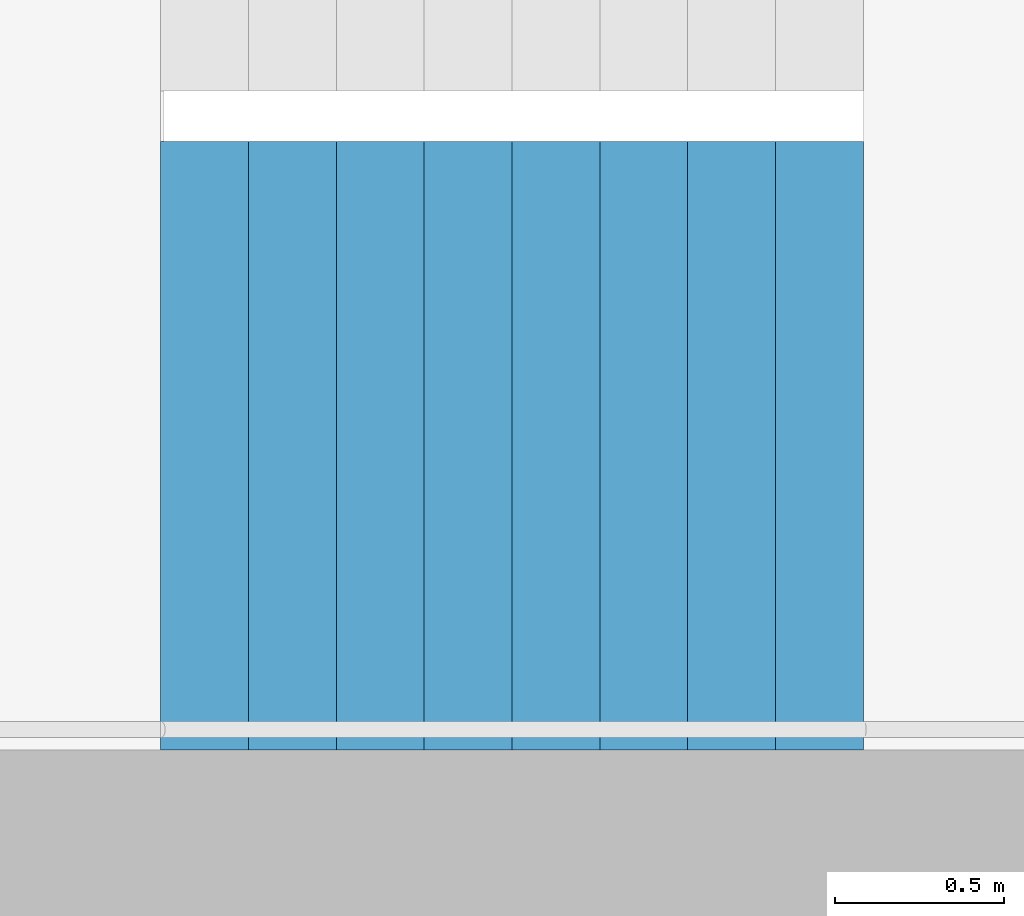
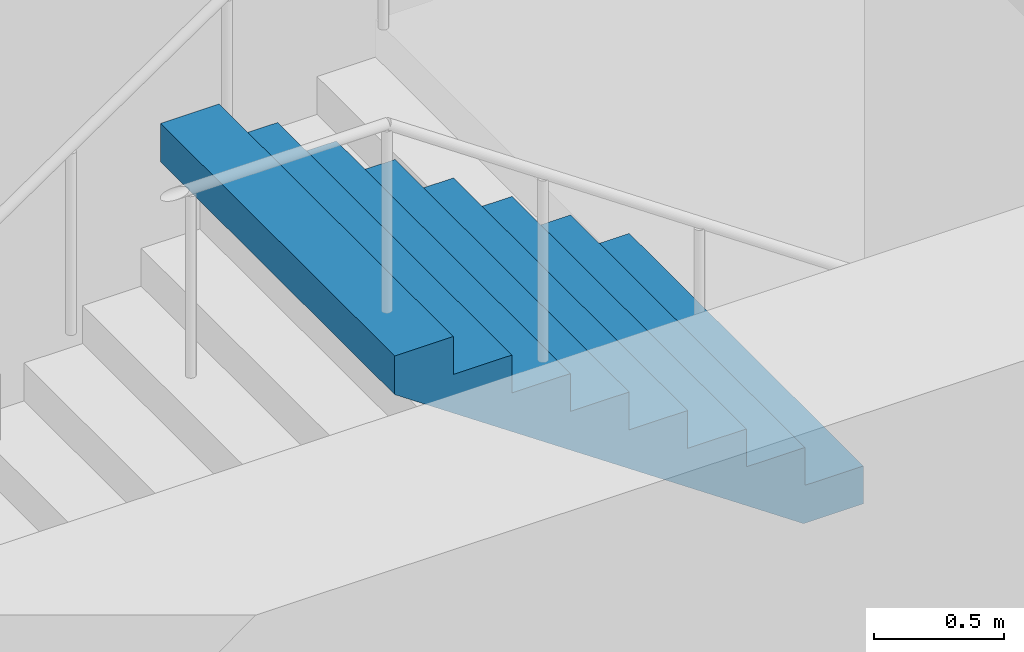
# One storey, part 24 of 41: 1 stair flight, 1 element without a shape of its own.
"""IFC4 building model written with IfcOpenShell, lengths in metres."""

import ifcopenshell
import ifcopenshell.guid

model = None  # the IFC model being written
_history = None  # IfcOwnerHistory: only IFC2X3 demands one
_inside = {}  # id of a spatial element -> (the spatial element, [elements in it])
_under = {}  # id of a project, library or spatial element -> (it, [spatial elements below it])
_declared = {}  # id of a project -> (the project, [libraries it declares])
_typed = {}  # id of a type object -> (the type object, [elements of that type])
_made_of = {}  # id of a material, layer set ... -> (it, [elements and type objects made of it])


def new_model(schema):
    """Start an empty IFC model of exactly this schema.

    Asked for "IFC4X3", IfcOpenShell would pick the latest addendum, in which some entities
    have other attributes; the version numbers below select the first issue.
    IFC2X3 requires an IfcOwnerHistory on every rooted entity: one is made here for all.
    """
    global model, _history
    if schema == "IFC4X3":
        model = ifcopenshell.file(schema_version=(4, 3, 0, 0))
    else:
        model = ifcopenshell.file(schema=schema)
    _inside.clear()
    _under.clear()
    _declared.clear()
    _typed.clear()
    _made_of.clear()
    _history = None
    if model.schema == "IFC2X3":
        org = make("IfcOrganization", Name="unknown")
        user = make(
            "IfcPersonAndOrganization",
            ThePerson=make("IfcPerson", FamilyName="unknown"),
            TheOrganization=org,
        )
        app = make(
            "IfcApplication",
            ApplicationDeveloper=org,
            Version="unknown",
            ApplicationFullName="unknown",
            ApplicationIdentifier="unknown",
        )
        _history = make(
            "IfcOwnerHistory",
            OwningUser=user,
            OwningApplication=app,
            ChangeAction="ADDED",
            CreationDate=0,
        )
    return model


def make(cls, **values):
    """One entity of the class cls with the attributes given. An attribute that is None is left unset."""
    return model.create_entity(
        cls, **{name: value for name, value in values.items() if value is not None}
    )


def rooted(cls, **values):
    """An entity with a GlobalId (a new one), such as an element, a storey or a relation."""
    return make(cls, GlobalId=ifcopenshell.guid.new(), OwnerHistory=_history, **values)


def si_unit(unit_type, name, prefix=None):
    """IfcSIUnit, for example si_unit("LENGTHUNIT", "METRE", prefix="MILLI")."""
    return make("IfcSIUnit", UnitType=unit_type, Prefix=prefix, Name=name)


def assignment(units):
    """IfcUnitAssignment: the units of a project."""
    return None if units is None else make("IfcUnitAssignment", Units=units)


def point(xyz):
    """IfcCartesianPoint."""
    return None if xyz is None else make("IfcCartesianPoint", Coordinates=xyz)


def direction(xyz):
    """IfcDirection."""
    return None if xyz is None else make("IfcDirection", DirectionRatios=xyz)


def frame(location, z_axis=None, x_axis=None):
    """IfcAxis2Placement3D, a coordinate frame: its origin and axes. An axis left out is left unset."""
    return make(
        "IfcAxis2Placement3D",
        Location=point(location),
        Axis=direction(z_axis),
        RefDirection=direction(x_axis),
    )


def origin():
    """The frame at (0, 0, 0) with its axes left unset."""
    return frame((0.0, 0.0, 0.0))


def place(relative_to, where):
    """IfcLocalPlacement: puts the frame where relative to a parent placement (None: the world)."""
    return make(
        "IfcLocalPlacement", PlacementRelTo=relative_to, RelativePlacement=where
    )


def context(
    kind, dimensions, precision=None, world=None, true_north=None, identifier=None
):
    """IfcGeometricRepresentationContext, for example the 3D "Model" context."""
    return make(
        "IfcGeometricRepresentationContext",
        ContextIdentifier=identifier,
        ContextType=kind,
        CoordinateSpaceDimension=dimensions,
        Precision=precision,
        WorldCoordinateSystem=world,
        TrueNorth=true_north,
    )


def subcontext(parent, identifier, kind, view, scale=None):
    """IfcGeometricRepresentationSubContext, for example "Body" below "Model"."""
    return make(
        "IfcGeometricRepresentationSubContext",
        ContextIdentifier=identifier,
        ContextType=kind,
        ParentContext=parent,
        TargetScale=scale,
        TargetView=view,
    )


def project(units=None, contexts=None):
    """IfcProject with its units and contexts."""
    return rooted(
        "IfcProject",
        Name="project",
        RepresentationContexts=contexts,
        UnitsInContext=assignment(units),
    )


def spatial(cls, under=None, at=None, **own):
    """A site, building, storey or space (cls), placed at a placement, below another one or the project."""
    s = rooted(cls, ObjectPlacement=at, **own)
    if under is not None:
        _under.setdefault(under.id(), (under, []))[1].append(s)
    return s


def point_list(points):
    """IfcCartesianPointList2D or 3D."""
    cls = (
        "IfcCartesianPointList2D" if len(points[0]) == 2 else "IfcCartesianPointList3D"
    )
    return make(cls, CoordList=points)


def triangles(points, corners, closed=None, point_numbers=None):
    """IfcTriangulatedFaceSet: each triangle names its three corners, points numbered from 1."""
    return make(
        "IfcTriangulatedFaceSet",
        Coordinates=point_list(points),
        Closed=closed,
        CoordIndex=corners,
        PnIndex=point_numbers,
    )


def shape(context_of_items, identifier, shape_type, items):
    """IfcShapeRepresentation: the items that make up one representation, for example the "Body"."""
    return make(
        "IfcShapeRepresentation",
        ContextOfItems=context_of_items,
        RepresentationIdentifier=identifier,
        RepresentationType=shape_type,
        Items=items,
    )


def material(Name=None, Category=None):
    """IfcMaterial."""
    return make("IfcMaterial", Name=Name, Category=Category)


def made_of(thing, what):
    """Note that an element or type object is made of a material, layer set ...; save() writes the relation."""
    if what is not None:
        _made_of.setdefault(what.id(), (what, []))[1].append(thing)
    return thing


def type_object(cls, material=None, **own):
    """A type object (cls), such as IfcWallType, which elements share."""
    return made_of(rooted(cls, **own), material)


def element(
    cls,
    number,
    at=None,
    inside=None,
    cuts=None,
    type_object=None,
    material=None,
    context=None,
    identifier="Body",
    shape_type=None,
    held_by="IfcProductDefinitionShape",
    body=None,
    shapes=None,
    **own,
):
    """One element of the class cls, such as IfcWall. Its Tag is "e" and its number.

    at: its placement. inside: the storey or other place that contains it. cuts: it is an
    opening in that element (IfcRelVoidsElement). A single representation is given by context,
    identifier, shape_type and body (its items); several are given by shapes. held_by: the class
    of the entity that holds the representations. save() writes the other relations.
    """
    e = rooted(cls, Tag="e%d" % number, ObjectPlacement=at, **own)
    if body is not None:
        shapes = [shape(context, identifier, shape_type, body)]
    if shapes is not None:
        e.Representation = make(held_by, Representations=shapes)
    if inside is not None:
        _inside.setdefault(inside.id(), (inside, []))[1].append(e)
    if cuts is not None:
        rooted(
            "IfcRelVoidsElement", RelatingBuildingElement=cuts, RelatedOpeningElement=e
        )
    if type_object is not None:
        _typed.setdefault(type_object.id(), (type_object, []))[1].append(e)
    return made_of(e, material)


def aggregate(whole, parts):
    """IfcRelAggregates: a whole, such as a stair, and the parts it consists of."""
    return rooted("IfcRelAggregates", RelatingObject=whole, RelatedObjects=parts)


def save(model, path):
    """Write the relations noted so far, then the file.

    IfcRelAggregates (storeys below a building ...), IfcRelContainedInSpatialStructure (elements
    in a storey), IfcRelDefinesByType, IfcRelAssociatesMaterial and IfcRelDeclares: one each for
    every whole, place, type object, material and project.
    """
    for whole, parts in _under.values():
        aggregate(whole, parts)
    for where, things in _inside.values():
        rooted(
            "IfcRelContainedInSpatialStructure",
            RelatedElements=things,
            RelatingStructure=where,
        )
    for kind, things in _typed.values():
        rooted("IfcRelDefinesByType", RelatedObjects=things, RelatingType=kind)
    for what, things in _made_of.values():
        rooted("IfcRelAssociatesMaterial", RelatedObjects=things, RelatingMaterial=what)
    for by, libraries in _declared.values():
        rooted("IfcRelDeclares", RelatingContext=by, RelatedDefinitions=libraries)
    model.write(path)


model = new_model("IFC4")

# Units and contexts
model_context = context("Model", 3, precision=1e-05, world=origin(), true_north=direction((0.0, 1.0)))
body_context = subcontext(model_context, "Body", "Model", "MODEL_VIEW")
ifc_project = project(units=[si_unit("LENGTHUNIT", "METRE"), si_unit("AREAUNIT", "SQUARE_METRE"), si_unit("VOLUMEUNIT", "CUBIC_METRE"), si_unit("PLANEANGLEUNIT", "RADIAN"), si_unit("MASSUNIT", "GRAM", prefix="KILO")], contexts=[model_context])

# Site, building, storey
site_placement = place(None, origin())
site = spatial("IfcSite", under=ifc_project, at=site_placement, CompositionType="ELEMENT")
building_placement = place(site_placement, origin())
building = spatial("IfcBuilding", under=site, at=building_placement, Name="Hakoniwa Tower and Hamabe Station Hall", CompositionType="ELEMENT")
storey_placement = place(building_placement, frame((0.0, 0.0, 180.199951171875)))
storey = spatial("IfcBuildingStorey", under=building, at=storey_placement, Name="L51", CompositionType="ELEMENT", Elevation=180.199951171875)

# Stair, stair flight
ifc_material_1 = material(Name="Concrete C40", Category="concrete")
stair_type = type_object("IfcStairType", Name="ESCAPE STAIR 1800", PredefinedType="HALF_TURN_STAIR", material=ifc_material_1)
stair_placement = place(storey_placement, origin())
stair = element("IfcStair", 1, at=stair_placement, inside=storey, type_object=stair_type, Name="Escape stair ST-4 L51", PredefinedType="HALF_TURN_STAIR")
ifc_material_2 = material(Name="Concrete C40", Category="concrete")
stair_flight_type = type_object("IfcStairFlightType", Name="STAIR FLIGHT 1800", PredefinedType="STRAIGHT", material=ifc_material_2)
stair_flight_placement = place(storey_placement, frame((25.47998046875, -6.60009765625, 4.800048828125), z_axis=(0.0, 0.0, 1.0), x_axis=(-1.0, 0.0, 0.0)))
stair_flight = element("IfcStairFlight", 2, at=stair_flight_placement, type_object=stair_flight_type, Name="ST-4 flight 4", NumberOfRisers=9, NumberOfTreads=8, PredefinedType="STRAIGHT", RiserHeight=0.177777778, TreadLength=0.26, context=body_context, shape_type="Tessellation", body=[
    triangles([(0.0, 0.89990234375, 0.0), (0.260009765625, 0.89990234375, 0.0), (0.265625, 0.89990234375, 0.0), (0.52001953125, 0.89990234375, 0.174072265625), (0.780029296875, 0.89990234375, 0.351806640625), (1.0400390625, 0.89990234375, 0.529541015625), (1.300048828125, 0.89990234375, 0.707275390625), (1.56005859375, 0.89990234375, 0.885009765625), (1.820068359375, 0.89990234375, 1.062744140625), (2.080078125, 0.89990234375, 1.24072265625), (2.080078125, 0.89990234375, 1.422119140625), (1.820068359375, 0.89990234375, 1.422119140625), (1.820068359375, 0.89990234375, 1.244384765625), (1.56005859375, 0.89990234375, 1.244384765625), (1.56005859375, 0.89990234375, 1.066650390625), (1.300048828125, 0.89990234375, 1.066650390625), (1.300048828125, 0.89990234375, 0.888916015625), (1.0400390625, 0.89990234375, 0.888916015625), (1.0400390625, 0.89990234375, 0.711181640625), (0.780029296875, 0.89990234375, 0.711181640625), (0.780029296875, 0.89990234375, 0.533447265625), (0.52001953125, 0.89990234375, 0.533447265625), (0.52001953125, 0.89990234375, 0.35546875), (0.265625, 0.89990234375, 0.35546875), (0.260009765625, 0.89990234375, 0.35546875), (0.260009765625, 0.89990234375, 0.177734375), (0.0, 0.89990234375, 0.177734375), (0.0, 0.06005859375, 0.0), (0.260009765625, 0.06005859375, 0.0), (0.265625, 0.06005859375, 0.0), (0.52001953125, 0.06005859375, 0.174072265625), (0.780029296875, 0.06005859375, 0.351806640625), (1.0400390625, 0.06005859375, 0.529541015625), (1.300048828125, 0.06005859375, 0.707275390625), (1.56005859375, 0.06005859375, 0.885009765625), (1.820068359375, 0.06005859375, 1.062744140625), (2.080078125, 0.06005859375, 1.24072265625), (2.080078125, 0.06005859375, 1.422119140625), (1.820068359375, 0.06005859375, 1.422119140625), (1.820068359375, 0.06005859375, 1.244384765625), (1.56005859375, 0.06005859375, 1.244384765625), (1.56005859375, 0.06005859375, 1.066650390625), (1.300048828125, 0.06005859375, 1.066650390625), (1.300048828125, 0.06005859375, 0.888916015625), (1.0400390625, 0.06005859375, 0.888916015625), (1.0400390625, 0.06005859375, 0.711181640625), (0.780029296875, 0.06005859375, 0.711181640625), (0.780029296875, 0.06005859375, 0.533447265625), (0.52001953125, 0.06005859375, 0.533447265625), (0.52001953125, 0.06005859375, 0.35546875), (0.265625, 0.06005859375, 0.35546875), (0.260009765625, 0.06005859375, 0.35546875), (0.260009765625, 0.06005859375, 0.177734375), (0.0, 0.06005859375, 0.177734375), (0.0, 0.04296875, 0.0), (0.260009765625, 0.04296875, 0.0), (0.265625, 0.04296875, 0.0), (0.52001953125, 0.04296875, 0.174072265625), (0.780029296875, 0.04296875, 0.351806640625), (1.0400390625, 0.04296875, 0.529541015625), (1.300048828125, 0.04296875, 0.707275390625), (1.56005859375, 0.04296875, 0.885009765625), (1.820068359375, 0.04296875, 1.062744140625), (2.080078125, 0.04296875, 1.24072265625), (2.080078125, 0.04296875, 1.422119140625), (1.820068359375, 0.04296875, 1.422119140625), (1.820068359375, 0.04296875, 1.244384765625), (1.56005859375, 0.04296875, 1.244384765625), (1.56005859375, 0.04296875, 1.066650390625), (1.300048828125, 0.04296875, 1.066650390625), (1.300048828125, 0.04296875, 0.888916015625), (1.0400390625, 0.04296875, 0.888916015625), (1.0400390625, 0.04296875, 0.711181640625), (0.780029296875, 0.04296875, 0.711181640625), (0.780029296875, 0.04296875, 0.533447265625), (0.52001953125, 0.04296875, 0.533447265625), (0.52001953125, 0.04296875, 0.35546875), (0.265625, 0.04296875, 0.35546875), (0.260009765625, 0.04296875, 0.35546875), (0.260009765625, 0.04296875, 0.177734375), (0.0, 0.04296875, 0.177734375), (0.0, 0.025634765625, 0.0), (0.260009765625, 0.025634765625, 0.0), (0.265625, 0.025634765625, 0.0), (0.52001953125, 0.025634765625, 0.174072265625), (0.780029296875, 0.025634765625, 0.351806640625), (1.0400390625, 0.025634765625, 0.529541015625), (1.300048828125, 0.025634765625, 0.707275390625), (1.56005859375, 0.025634765625, 0.885009765625), (1.820068359375, 0.025634765625, 1.062744140625), (2.080078125, 0.025634765625, 1.24072265625), (2.080078125, 0.025634765625, 1.422119140625), (1.820068359375, 0.025634765625, 1.422119140625), (1.820068359375, 0.025634765625, 1.244384765625), (1.56005859375, 0.025634765625, 1.244384765625), (1.56005859375, 0.025634765625, 1.066650390625), (1.300048828125, 0.025634765625, 1.066650390625), (1.300048828125, 0.025634765625, 0.888916015625), (1.0400390625, 0.025634765625, 0.888916015625), (1.0400390625, 0.025634765625, 0.711181640625), (0.780029296875, 0.025634765625, 0.711181640625), (0.780029296875, 0.025634765625, 0.533447265625), (0.52001953125, 0.025634765625, 0.533447265625), (0.52001953125, 0.025634765625, 0.35546875), (0.265625, 0.025634765625, 0.35546875), (0.260009765625, 0.025634765625, 0.35546875), (0.260009765625, 0.025634765625, 0.177734375), (0.0, 0.025634765625, 0.177734375), (0.0, 0.008544921875, 0.0), (0.260009765625, 0.008544921875, 0.0), (0.265625, 0.008544921875, 0.0), (0.52001953125, 0.008544921875, 0.174072265625), (0.780029296875, 0.008544921875, 0.351806640625), (1.0400390625, 0.008544921875, 0.529541015625), (1.300048828125, 0.008544921875, 0.707275390625), (1.56005859375, 0.008544921875, 0.885009765625), (1.820068359375, 0.008544921875, 1.062744140625), (2.080078125, 0.008544921875, 1.24072265625), (2.080078125, 0.008544921875, 1.422119140625), (1.820068359375, 0.008544921875, 1.422119140625), (1.820068359375, 0.008544921875, 1.244384765625), (1.56005859375, 0.008544921875, 1.244384765625), (1.56005859375, 0.008544921875, 1.066650390625), (1.300048828125, 0.008544921875, 1.066650390625), (1.300048828125, 0.008544921875, 0.888916015625), (1.0400390625, 0.008544921875, 0.888916015625), (1.0400390625, 0.008544921875, 0.711181640625), (0.780029296875, 0.008544921875, 0.711181640625), (0.780029296875, 0.008544921875, 0.533447265625), (0.52001953125, 0.008544921875, 0.533447265625), (0.52001953125, 0.008544921875, 0.35546875), (0.265625, 0.008544921875, 0.35546875), (0.260009765625, 0.008544921875, 0.35546875), (0.260009765625, 0.008544921875, 0.177734375), (0.0, 0.008544921875, 0.177734375), (0.0, -0.008544921875, 0.0), (0.260009765625, -0.008544921875, 0.0), (0.265625, -0.008544921875, 0.0), (0.52001953125, -0.008544921875, 0.174072265625), (0.780029296875, -0.008544921875, 0.351806640625), (1.0400390625, -0.008544921875, 0.529541015625), (1.300048828125, -0.008544921875, 0.707275390625), (1.56005859375, -0.008544921875, 0.885009765625), (1.820068359375, -0.008544921875, 1.062744140625), (2.080078125, -0.008544921875, 1.24072265625), (2.080078125, -0.008544921875, 1.422119140625), (1.820068359375, -0.008544921875, 1.422119140625), (1.820068359375, -0.008544921875, 1.244384765625), (1.56005859375, -0.008544921875, 1.244384765625), (1.56005859375, -0.008544921875, 1.066650390625), (1.300048828125, -0.008544921875, 1.066650390625), (1.300048828125, -0.008544921875, 0.888916015625), (1.0400390625, -0.008544921875, 0.888916015625), (1.0400390625, -0.008544921875, 0.711181640625), (0.780029296875, -0.008544921875, 0.711181640625), (0.780029296875, -0.008544921875, 0.533447265625), (0.52001953125, -0.008544921875, 0.533447265625), (0.52001953125, -0.008544921875, 0.35546875), (0.265625, -0.008544921875, 0.35546875), (0.260009765625, -0.008544921875, 0.35546875), (0.260009765625, -0.008544921875, 0.177734375), (0.0, -0.008544921875, 0.177734375), (0.0, -0.025634765625, 0.0), (0.260009765625, -0.025634765625, 0.0), (0.265625, -0.025634765625, 0.0), (0.52001953125, -0.025634765625, 0.174072265625), (0.780029296875, -0.025634765625, 0.351806640625), (1.0400390625, -0.025634765625, 0.529541015625), (1.300048828125, -0.025634765625, 0.707275390625), (1.56005859375, -0.025634765625, 0.885009765625), (1.820068359375, -0.025634765625, 1.062744140625), (2.080078125, -0.025634765625, 1.24072265625), (2.080078125, -0.025634765625, 1.422119140625), (1.820068359375, -0.025634765625, 1.422119140625), (1.820068359375, -0.025634765625, 1.244384765625), (1.56005859375, -0.025634765625, 1.244384765625), (1.56005859375, -0.025634765625, 1.066650390625), (1.300048828125, -0.025634765625, 1.066650390625), (1.300048828125, -0.025634765625, 0.888916015625), (1.0400390625, -0.025634765625, 0.888916015625), (1.0400390625, -0.025634765625, 0.711181640625), (0.780029296875, -0.025634765625, 0.711181640625), (0.780029296875, -0.025634765625, 0.533447265625), (0.52001953125, -0.025634765625, 0.533447265625), (0.52001953125, -0.025634765625, 0.35546875), (0.265625, -0.025634765625, 0.35546875), (0.260009765625, -0.025634765625, 0.35546875), (0.260009765625, -0.025634765625, 0.177734375), (0.0, -0.025634765625, 0.177734375), (0.0, -0.04296875, 0.0), (0.260009765625, -0.04296875, 0.0), (0.265625, -0.04296875, 0.0), (0.52001953125, -0.04296875, 0.174072265625), (0.780029296875, -0.04296875, 0.351806640625), (1.0400390625, -0.04296875, 0.529541015625), (1.300048828125, -0.04296875, 0.707275390625), (1.56005859375, -0.04296875, 0.885009765625), (1.820068359375, -0.04296875, 1.062744140625), (2.080078125, -0.04296875, 1.24072265625), (2.080078125, -0.04296875, 1.422119140625), (1.820068359375, -0.04296875, 1.422119140625), (1.820068359375, -0.04296875, 1.244384765625), (1.56005859375, -0.04296875, 1.244384765625), (1.56005859375, -0.04296875, 1.066650390625), (1.300048828125, -0.04296875, 1.066650390625), (1.300048828125, -0.04296875, 0.888916015625), (1.0400390625, -0.04296875, 0.888916015625), (1.0400390625, -0.04296875, 0.711181640625), (0.780029296875, -0.04296875, 0.711181640625), (0.780029296875, -0.04296875, 0.533447265625), (0.52001953125, -0.04296875, 0.533447265625), (0.52001953125, -0.04296875, 0.35546875), (0.265625, -0.04296875, 0.35546875), (0.260009765625, -0.04296875, 0.35546875), (0.260009765625, -0.04296875, 0.177734375), (0.0, -0.04296875, 0.177734375), (0.0, -0.06005859375, 0.0), (0.260009765625, -0.06005859375, 0.0), (0.265625, -0.06005859375, 0.0), (0.52001953125, -0.06005859375, 0.174072265625), (0.780029296875, -0.06005859375, 0.351806640625), (1.0400390625, -0.06005859375, 0.529541015625), (1.300048828125, -0.06005859375, 0.707275390625), (1.56005859375, -0.06005859375, 0.885009765625), (1.820068359375, -0.06005859375, 1.062744140625), (2.080078125, -0.06005859375, 1.24072265625), (2.080078125, -0.06005859375, 1.422119140625), (1.820068359375, -0.06005859375, 1.422119140625), (1.820068359375, -0.06005859375, 1.244384765625), (1.56005859375, -0.06005859375, 1.244384765625), (1.56005859375, -0.06005859375, 1.066650390625), (1.300048828125, -0.06005859375, 1.066650390625), (1.300048828125, -0.06005859375, 0.888916015625), (1.0400390625, -0.06005859375, 0.888916015625), (1.0400390625, -0.06005859375, 0.711181640625), (0.780029296875, -0.06005859375, 0.711181640625), (0.780029296875, -0.06005859375, 0.533447265625), (0.52001953125, -0.06005859375, 0.533447265625), (0.52001953125, -0.06005859375, 0.35546875), (0.265625, -0.06005859375, 0.35546875), (0.260009765625, -0.06005859375, 0.35546875), (0.260009765625, -0.06005859375, 0.177734375), (0.0, -0.06005859375, 0.177734375), (0.0, -0.89990234375, 0.0), (0.260009765625, -0.89990234375, 0.0), (0.265625, -0.89990234375, 0.0), (0.52001953125, -0.89990234375, 0.174072265625), (0.780029296875, -0.89990234375, 0.351806640625), (1.0400390625, -0.89990234375, 0.529541015625), (1.300048828125, -0.89990234375, 0.707275390625), (1.56005859375, -0.89990234375, 0.885009765625), (1.820068359375, -0.89990234375, 1.062744140625), (2.080078125, -0.89990234375, 1.24072265625), (2.080078125, -0.89990234375, 1.422119140625), (1.820068359375, -0.89990234375, 1.422119140625), (1.820068359375, -0.89990234375, 1.244384765625), (1.56005859375, -0.89990234375, 1.244384765625), (1.56005859375, -0.89990234375, 1.066650390625), (1.300048828125, -0.89990234375, 1.066650390625), (1.300048828125, -0.89990234375, 0.888916015625), (1.0400390625, -0.89990234375, 0.888916015625), (1.0400390625, -0.89990234375, 0.711181640625), (0.780029296875, -0.89990234375, 0.711181640625), (0.780029296875, -0.89990234375, 0.533447265625), (0.52001953125, -0.89990234375, 0.533447265625), (0.52001953125, -0.89990234375, 0.35546875), (0.265625, -0.89990234375, 0.35546875), (0.260009765625, -0.89990234375, 0.35546875), (0.260009765625, -0.89990234375, 0.177734375), (0.0, -0.89990234375, 0.177734375)], [[2, 27, 26], [245, 269, 270], [2, 1, 27], [245, 270, 244], [3, 25, 24], [246, 267, 268], [3, 26, 25], [246, 268, 269], [3, 2, 26], [246, 269, 245], [4, 24, 23], [247, 266, 267], [4, 3, 24], [247, 267, 246], [5, 22, 21], [248, 264, 265], [5, 23, 22], [248, 265, 266], [5, 4, 23], [248, 266, 247], [6, 20, 19], [249, 262, 263], [6, 21, 20], [249, 263, 264], [6, 5, 21], [249, 264, 248], [7, 18, 17], [250, 260, 261], [7, 19, 18], [250, 261, 262], [7, 6, 19], [250, 262, 249], [8, 16, 15], [251, 258, 259], [8, 17, 16], [251, 259, 260], [8, 7, 17], [251, 260, 250], [9, 14, 13], [252, 256, 257], [9, 15, 14], [252, 257, 258], [9, 8, 15], [252, 258, 251], [10, 12, 11], [253, 254, 255], [10, 13, 12], [253, 255, 256], [10, 9, 13], [253, 256, 252], [1, 2, 29], [1, 29, 28], [28, 29, 56], [28, 56, 55], [55, 56, 83], [55, 83, 82], [82, 83, 110], [82, 110, 109], [109, 110, 137], [109, 137, 136], [136, 137, 164], [136, 164, 163], [163, 164, 191], [163, 191, 190], [190, 191, 218], [190, 218, 217], [217, 218, 245], [217, 245, 244], [2, 3, 30], [2, 30, 29], [29, 30, 57], [29, 57, 56], [56, 57, 84], [56, 84, 83], [83, 84, 111], [83, 111, 110], [110, 111, 138], [110, 138, 137], [137, 138, 165], [137, 165, 164], [164, 165, 192], [164, 192, 191], [191, 192, 219], [191, 219, 218], [218, 219, 246], [218, 246, 245], [3, 4, 31], [3, 31, 30], [30, 31, 58], [30, 58, 57], [57, 58, 85], [57, 85, 84], [84, 85, 112], [84, 112, 111], [111, 112, 139], [111, 139, 138], [138, 139, 166], [138, 166, 165], [165, 166, 193], [165, 193, 192], [192, 193, 220], [192, 220, 219], [219, 220, 247], [219, 247, 246], [4, 5, 32], [4, 32, 31], [31, 32, 59], [31, 59, 58], [58, 59, 86], [58, 86, 85], [85, 86, 113], [85, 113, 112], [112, 113, 140], [112, 140, 139], [139, 140, 167], [139, 167, 166], [166, 167, 194], [166, 194, 193], [193, 194, 221], [193, 221, 220], [220, 221, 248], [220, 248, 247], [5, 6, 33], [5, 33, 32], [32, 33, 60], [32, 60, 59], [59, 60, 87], [59, 87, 86], [86, 87, 114], [86, 114, 113], [113, 114, 141], [113, 141, 140], [140, 141, 168], [140, 168, 167], [167, 168, 195], [167, 195, 194], [194, 195, 222], [194, 222, 221], [221, 222, 249], [221, 249, 248], [6, 7, 34], [6, 34, 33], [33, 34, 61], [33, 61, 60], [60, 61, 88], [60, 88, 87], [87, 88, 115], [87, 115, 114], [114, 115, 142], [114, 142, 141], [141, 142, 169], [141, 169, 168], [168, 169, 196], [168, 196, 195], [195, 196, 223], [195, 223, 222], [222, 223, 250], [222, 250, 249], [7, 8, 35], [7, 35, 34], [34, 35, 62], [34, 62, 61], [61, 62, 89], [61, 89, 88], [88, 89, 116], [88, 116, 115], [115, 116, 143], [115, 143, 142], [142, 143, 170], [142, 170, 169], [169, 170, 197], [169, 197, 196], [196, 197, 224], [196, 224, 223], [223, 224, 251], [223, 251, 250], [8, 9, 36], [8, 36, 35], [35, 36, 63], [35, 63, 62], [62, 63, 90], [62, 90, 89], [89, 90, 117], [89, 117, 116], [116, 117, 144], [116, 144, 143], [143, 144, 171], [143, 171, 170], [170, 171, 198], [170, 198, 197], [197, 198, 225], [197, 225, 224], [224, 225, 252], [224, 252, 251], [9, 10, 37], [9, 37, 36], [36, 37, 64], [36, 64, 63], [63, 64, 91], [63, 91, 90], [90, 91, 118], [90, 118, 117], [117, 118, 145], [117, 145, 144], [144, 145, 172], [144, 172, 171], [171, 172, 199], [171, 199, 198], [198, 199, 226], [198, 226, 225], [225, 226, 253], [225, 253, 252], [10, 11, 38], [10, 38, 37], [37, 38, 65], [37, 65, 64], [64, 65, 92], [64, 92, 91], [91, 92, 119], [91, 119, 118], [118, 119, 146], [118, 146, 145], [145, 146, 173], [145, 173, 172], [172, 173, 200], [172, 200, 199], [199, 200, 227], [199, 227, 226], [226, 227, 254], [226, 254, 253], [11, 12, 39], [11, 39, 38], [38, 39, 66], [38, 66, 65], [65, 66, 93], [65, 93, 92], [92, 93, 120], [92, 120, 119], [119, 120, 147], [119, 147, 146], [146, 147, 174], [146, 174, 173], [173, 174, 201], [173, 201, 200], [200, 201, 228], [200, 228, 227], [227, 228, 255], [227, 255, 254], [12, 13, 40], [12, 40, 39], [39, 40, 67], [39, 67, 66], [66, 67, 94], [66, 94, 93], [93, 94, 121], [93, 121, 120], [120, 121, 148], [120, 148, 147], [147, 148, 175], [147, 175, 174], [174, 175, 202], [174, 202, 201], [201, 202, 229], [201, 229, 228], [228, 229, 256], [228, 256, 255], [13, 14, 41], [13, 41, 40], [40, 41, 68], [40, 68, 67], [67, 68, 95], [67, 95, 94], [94, 95, 122], [94, 122, 121], [121, 122, 149], [121, 149, 148], [148, 149, 176], [148, 176, 175], [175, 176, 203], [175, 203, 202], [202, 203, 230], [202, 230, 229], [229, 230, 257], [229, 257, 256], [14, 15, 42], [14, 42, 41], [41, 42, 69], [41, 69, 68], [68, 69, 96], [68, 96, 95], [95, 96, 123], [95, 123, 122], [122, 123, 150], [122, 150, 149], [149, 150, 177], [149, 177, 176], [176, 177, 204], [176, 204, 203], [203, 204, 231], [203, 231, 230], [230, 231, 258], [230, 258, 257], [15, 16, 43], [15, 43, 42], [42, 43, 70], [42, 70, 69], [69, 70, 97], [69, 97, 96], [96, 97, 124], [96, 124, 123], [123, 124, 151], [123, 151, 150], [150, 151, 178], [150, 178, 177], [177, 178, 205], [177, 205, 204], [204, 205, 232], [204, 232, 231], [231, 232, 259], [231, 259, 258], [16, 17, 44], [16, 44, 43], [43, 44, 71], [43, 71, 70], [70, 71, 98], [70, 98, 97], [97, 98, 125], [97, 125, 124], [124, 125, 152], [124, 152, 151], [151, 152, 179], [151, 179, 178], [178, 179, 206], [178, 206, 205], [205, 206, 233], [205, 233, 232], [232, 233, 260], [232, 260, 259], [17, 18, 45], [17, 45, 44], [44, 45, 72], [44, 72, 71], [71, 72, 99], [71, 99, 98], [98, 99, 126], [98, 126, 125], [125, 126, 153], [125, 153, 152], [152, 153, 180], [152, 180, 179], [179, 180, 207], [179, 207, 206], [206, 207, 234], [206, 234, 233], [233, 234, 261], [233, 261, 260], [18, 19, 46], [18, 46, 45], [45, 46, 73], [45, 73, 72], [72, 73, 100], [72, 100, 99], [99, 100, 127], [99, 127, 126], [126, 127, 154], [126, 154, 153], [153, 154, 181], [153, 181, 180], [180, 181, 208], [180, 208, 207], [207, 208, 235], [207, 235, 234], [234, 235, 262], [234, 262, 261], [19, 20, 47], [19, 47, 46], [46, 47, 74], [46, 74, 73], [73, 74, 101], [73, 101, 100], [100, 101, 128], [100, 128, 127], [127, 128, 155], [127, 155, 154], [154, 155, 182], [154, 182, 181], [181, 182, 209], [181, 209, 208], [208, 209, 236], [208, 236, 235], [235, 236, 263], [235, 263, 262], [20, 21, 48], [20, 48, 47], [47, 48, 75], [47, 75, 74], [74, 75, 102], [74, 102, 101], [101, 102, 129], [101, 129, 128], [128, 129, 156], [128, 156, 155], [155, 156, 183], [155, 183, 182], [182, 183, 210], [182, 210, 209], [209, 210, 237], [209, 237, 236], [236, 237, 264], [236, 264, 263], [21, 22, 49], [21, 49, 48], [48, 49, 76], [48, 76, 75], [75, 76, 103], [75, 103, 102], [102, 103, 130], [102, 130, 129], [129, 130, 157], [129, 157, 156], [156, 157, 184], [156, 184, 183], [183, 184, 211], [183, 211, 210], [210, 211, 238], [210, 238, 237], [237, 238, 265], [237, 265, 264], [22, 23, 50], [22, 50, 49], [49, 50, 77], [49, 77, 76], [76, 77, 104], [76, 104, 103], [103, 104, 131], [103, 131, 130], [130, 131, 158], [130, 158, 157], [157, 158, 185], [157, 185, 184], [184, 185, 212], [184, 212, 211], [211, 212, 239], [211, 239, 238], [238, 239, 266], [238, 266, 265], [23, 24, 51], [23, 51, 50], [50, 51, 78], [50, 78, 77], [77, 78, 105], [77, 105, 104], [104, 105, 132], [104, 132, 131], [131, 132, 159], [131, 159, 158], [158, 159, 186], [158, 186, 185], [185, 186, 213], [185, 213, 212], [212, 213, 240], [212, 240, 239], [239, 240, 267], [239, 267, 266], [24, 25, 52], [24, 52, 51], [51, 52, 79], [51, 79, 78], [78, 79, 106], [78, 106, 105], [105, 106, 133], [105, 133, 132], [132, 133, 160], [132, 160, 159], [159, 160, 187], [159, 187, 186], [186, 187, 214], [186, 214, 213], [213, 214, 241], [213, 241, 240], [240, 241, 268], [240, 268, 267], [25, 26, 53], [25, 53, 52], [52, 53, 80], [52, 80, 79], [79, 80, 107], [79, 107, 106], [106, 107, 134], [106, 134, 133], [133, 134, 161], [133, 161, 160], [160, 161, 188], [160, 188, 187], [187, 188, 215], [187, 215, 214], [214, 215, 242], [214, 242, 241], [241, 242, 269], [241, 269, 268], [26, 27, 54], [26, 54, 53], [53, 54, 81], [53, 81, 80], [80, 81, 108], [80, 108, 107], [107, 108, 135], [107, 135, 134], [134, 135, 162], [134, 162, 161], [161, 162, 189], [161, 189, 188], [188, 189, 216], [188, 216, 215], [215, 216, 243], [215, 243, 242], [242, 243, 270], [242, 270, 269], [27, 1, 28], [27, 28, 54], [54, 28, 55], [54, 55, 81], [81, 55, 82], [81, 82, 108], [108, 82, 109], [108, 109, 135], [135, 109, 136], [135, 136, 162], [162, 136, 163], [162, 163, 189], [189, 163, 190], [189, 190, 216], [216, 190, 217], [216, 217, 243], [243, 217, 244], [243, 244, 270]], closed=True),
])
aggregate(stair, [stair_flight])

save(model, "model.ifc")
